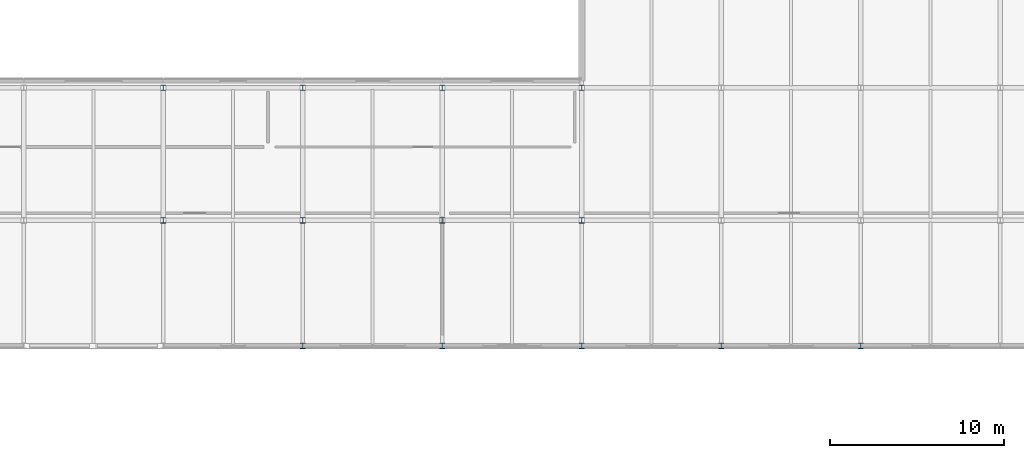
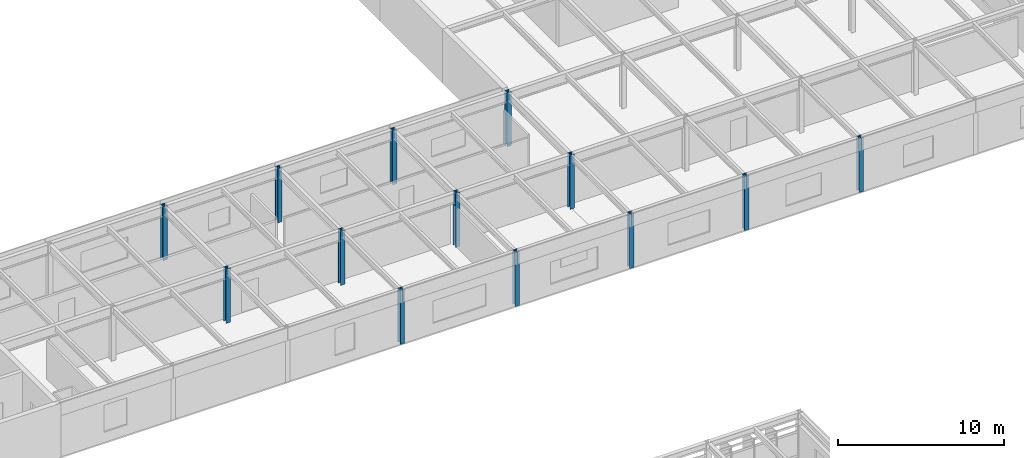
# One storey, part 5 of 33: 13 columns.
"""IFC4 building model written with IfcOpenShell, lengths in metres."""

import ifcopenshell
import ifcopenshell.guid

model = None  # the IFC model being written
_history = None  # IfcOwnerHistory: only IFC2X3 demands one
_inside = {}  # id of a spatial element -> (the spatial element, [elements in it])
_under = {}  # id of a project, library or spatial element -> (it, [spatial elements below it])
_declared = {}  # id of a project -> (the project, [libraries it declares])
_typed = {}  # id of a type object -> (the type object, [elements of that type])
_made_of = {}  # id of a material, layer set ... -> (it, [elements and type objects made of it])


def new_model(schema):
    """Start an empty IFC model of exactly this schema.

    Asked for "IFC4X3", IfcOpenShell would pick the latest addendum, in which some entities
    have other attributes; the version numbers below select the first issue.
    IFC2X3 requires an IfcOwnerHistory on every rooted entity: one is made here for all.
    """
    global model, _history
    if schema == "IFC4X3":
        model = ifcopenshell.file(schema_version=(4, 3, 0, 0))
    else:
        model = ifcopenshell.file(schema=schema)
    _inside.clear()
    _under.clear()
    _declared.clear()
    _typed.clear()
    _made_of.clear()
    _history = None
    if model.schema == "IFC2X3":
        org = make("IfcOrganization", Name="unknown")
        user = make(
            "IfcPersonAndOrganization",
            ThePerson=make("IfcPerson", FamilyName="unknown"),
            TheOrganization=org,
        )
        app = make(
            "IfcApplication",
            ApplicationDeveloper=org,
            Version="unknown",
            ApplicationFullName="unknown",
            ApplicationIdentifier="unknown",
        )
        _history = make(
            "IfcOwnerHistory",
            OwningUser=user,
            OwningApplication=app,
            ChangeAction="ADDED",
            CreationDate=0,
        )
    return model


def make(cls, **values):
    """One entity of the class cls with the attributes given. An attribute that is None is left unset."""
    return model.create_entity(
        cls, **{name: value for name, value in values.items() if value is not None}
    )


def rooted(cls, **values):
    """An entity with a GlobalId (a new one), such as an element, a storey or a relation."""
    return make(cls, GlobalId=ifcopenshell.guid.new(), OwnerHistory=_history, **values)


def si_unit(unit_type, name, prefix=None):
    """IfcSIUnit, for example si_unit("LENGTHUNIT", "METRE", prefix="MILLI")."""
    return make("IfcSIUnit", UnitType=unit_type, Prefix=prefix, Name=name)


def assignment(units):
    """IfcUnitAssignment: the units of a project."""
    return None if units is None else make("IfcUnitAssignment", Units=units)


def point(xyz):
    """IfcCartesianPoint."""
    return None if xyz is None else make("IfcCartesianPoint", Coordinates=xyz)


def direction(xyz):
    """IfcDirection."""
    return None if xyz is None else make("IfcDirection", DirectionRatios=xyz)


def frame(location, z_axis=None, x_axis=None):
    """IfcAxis2Placement3D, a coordinate frame: its origin and axes. An axis left out is left unset."""
    return make(
        "IfcAxis2Placement3D",
        Location=point(location),
        Axis=direction(z_axis),
        RefDirection=direction(x_axis),
    )


def frame_2d(location, x_axis=None):
    """IfcAxis2Placement2D, a coordinate frame in the plane: its origin and x axis."""
    return make(
        "IfcAxis2Placement2D", Location=point(location), RefDirection=direction(x_axis)
    )


def origin():
    """The frame at (0, 0, 0) with its axes left unset."""
    return frame((0.0, 0.0, 0.0))


def origin_2d():
    """The frame at (0, 0) in the plane with its x axis left unset."""
    return frame_2d((0.0, 0.0))


def place(relative_to, where):
    """IfcLocalPlacement: puts the frame where relative to a parent placement (None: the world)."""
    return make(
        "IfcLocalPlacement", PlacementRelTo=relative_to, RelativePlacement=where
    )


def context(
    kind, dimensions, precision=None, world=None, true_north=None, identifier=None
):
    """IfcGeometricRepresentationContext, for example the 3D "Model" context."""
    return make(
        "IfcGeometricRepresentationContext",
        ContextIdentifier=identifier,
        ContextType=kind,
        CoordinateSpaceDimension=dimensions,
        Precision=precision,
        WorldCoordinateSystem=world,
        TrueNorth=true_north,
    )


def subcontext(parent, identifier, kind, view, scale=None):
    """IfcGeometricRepresentationSubContext, for example "Body" below "Model"."""
    return make(
        "IfcGeometricRepresentationSubContext",
        ContextIdentifier=identifier,
        ContextType=kind,
        ParentContext=parent,
        TargetScale=scale,
        TargetView=view,
    )


def project(units=None, contexts=None):
    """IfcProject with its units and contexts."""
    return rooted(
        "IfcProject",
        Name="project",
        RepresentationContexts=contexts,
        UnitsInContext=assignment(units),
    )


def spatial(cls, under=None, at=None, **own):
    """A site, building, storey or space (cls), placed at a placement, below another one or the project."""
    s = rooted(cls, ObjectPlacement=at, **own)
    if under is not None:
        _under.setdefault(under.id(), (under, []))[1].append(s)
    return s


def profile(cls, at=None, kind="AREA", **sizes):
    """A parametric profile (cls). Its sizes go by their IFC names, for example OverallWidth=200.0."""
    return make(cls, ProfileType=kind, Position=at, **sizes)


def i_section(**sizes):
    """IfcIShapeProfileDef."""
    return profile("IfcIShapeProfileDef", **sizes)


def extrude(swept, where, along, depth):
    """IfcExtrudedAreaSolid: the profile swept, set in the frame where, extruded along a direction by depth."""
    return make(
        "IfcExtrudedAreaSolid",
        SweptArea=swept,
        Position=where,
        ExtrudedDirection=direction(along),
        Depth=depth,
    )


def shape(context_of_items, identifier, shape_type, items):
    """IfcShapeRepresentation: the items that make up one representation, for example the "Body"."""
    return make(
        "IfcShapeRepresentation",
        ContextOfItems=context_of_items,
        RepresentationIdentifier=identifier,
        RepresentationType=shape_type,
        Items=items,
    )


def material(Name=None, Category=None):
    """IfcMaterial."""
    return make("IfcMaterial", Name=Name, Category=Category)


def material_profile(
    of_material, cross_section, Name=None, Category=None, Priority=None
):
    """IfcMaterialProfile: a cross section and its material."""
    return make(
        "IfcMaterialProfile",
        Name=Name,
        Material=of_material,
        Profile=cross_section,
        Priority=Priority,
        Category=Category,
    )


def profile_set(profiles, Name=None, composite=None):
    """IfcMaterialProfileSet."""
    return make(
        "IfcMaterialProfileSet",
        Name=Name,
        MaterialProfiles=profiles,
        CompositeProfile=composite,
    )


def made_of(thing, what):
    """Note that an element or type object is made of a material, layer set ...; save() writes the relation."""
    if what is not None:
        _made_of.setdefault(what.id(), (what, []))[1].append(thing)
    return thing


def type_object(cls, material=None, **own):
    """A type object (cls), such as IfcWallType, which elements share."""
    return made_of(rooted(cls, **own), material)


def element(
    cls,
    number,
    at=None,
    inside=None,
    cuts=None,
    type_object=None,
    material=None,
    context=None,
    identifier="Body",
    shape_type=None,
    held_by="IfcProductDefinitionShape",
    body=None,
    shapes=None,
    **own,
):
    """One element of the class cls, such as IfcWall. Its Tag is "e" and its number.

    at: its placement. inside: the storey or other place that contains it. cuts: it is an
    opening in that element (IfcRelVoidsElement). A single representation is given by context,
    identifier, shape_type and body (its items); several are given by shapes. held_by: the class
    of the entity that holds the representations. save() writes the other relations.
    """
    e = rooted(cls, Tag="e%d" % number, ObjectPlacement=at, **own)
    if body is not None:
        shapes = [shape(context, identifier, shape_type, body)]
    if shapes is not None:
        e.Representation = make(held_by, Representations=shapes)
    if inside is not None:
        _inside.setdefault(inside.id(), (inside, []))[1].append(e)
    if cuts is not None:
        rooted(
            "IfcRelVoidsElement", RelatingBuildingElement=cuts, RelatedOpeningElement=e
        )
    if type_object is not None:
        _typed.setdefault(type_object.id(), (type_object, []))[1].append(e)
    return made_of(e, material)


def aggregate(whole, parts):
    """IfcRelAggregates: a whole, such as a stair, and the parts it consists of."""
    return rooted("IfcRelAggregates", RelatingObject=whole, RelatedObjects=parts)


def save(model, path):
    """Write the relations noted so far, then the file.

    IfcRelAggregates (storeys below a building ...), IfcRelContainedInSpatialStructure (elements
    in a storey), IfcRelDefinesByType, IfcRelAssociatesMaterial and IfcRelDeclares: one each for
    every whole, place, type object, material and project.
    """
    for whole, parts in _under.values():
        aggregate(whole, parts)
    for where, things in _inside.values():
        rooted(
            "IfcRelContainedInSpatialStructure",
            RelatedElements=things,
            RelatingStructure=where,
        )
    for kind, things in _typed.values():
        rooted("IfcRelDefinesByType", RelatedObjects=things, RelatingType=kind)
    for what, things in _made_of.values():
        rooted("IfcRelAssociatesMaterial", RelatedObjects=things, RelatingMaterial=what)
    for by, libraries in _declared.values():
        rooted("IfcRelDeclares", RelatingContext=by, RelatedDefinitions=libraries)
    model.write(path)


model = new_model("IFC4")

# Units and contexts
model_context = context("Model", 3, precision=1e-05, world=origin(), true_north=direction((0.0, 1.0)))
body_context = subcontext(model_context, "Body", "Model", "MODEL_VIEW")
ifc_project = project(units=[si_unit("LENGTHUNIT", "METRE"), si_unit("AREAUNIT", "SQUARE_METRE"), si_unit("VOLUMEUNIT", "CUBIC_METRE"), si_unit("PLANEANGLEUNIT", "RADIAN"), si_unit("MASSUNIT", "GRAM", prefix="KILO")], contexts=[model_context])

# Site, building, storey
site_placement = place(None, origin())
site = spatial("IfcSite", under=ifc_project, at=site_placement, CompositionType="ELEMENT")
building_placement = place(site_placement, origin())
building = spatial("IfcBuilding", under=site, at=building_placement, Name="Zulena Civic Courthouse", CompositionType="ELEMENT")
storey_placement = place(building_placement, frame((0.0, 0.0, 33.60009765625)))
storey = spatial("IfcBuildingStorey", under=building, at=storey_placement, Name="L07", CompositionType="ELEMENT", Elevation=33.60009765625)

# Columns
ifc_material = material(Name="Steel ASTM A992 Grade 50", Category="steel")
ifc_material_profile = material_profile(ifc_material, i_section(OverallWidth=0.306884765625, OverallDepth=0.31396484375, WebThickness=0.011962890625, FlangeThickness=0.018798828125, FilletRadius=0.01513671875, at=origin_2d()), Name="W12X79")
ifc_profile_set = profile_set([ifc_material_profile], Name="Steel ASTM A992 Grade 50")
column_type = type_object("IfcColumnType", Name="Col_W12X79", PredefinedType="COLUMN", material=ifc_profile_set)
for number, where, z_axis, x_axis, name in (
    (1, (44.0, 53.199951171875, 0.0), (0.0, 0.0, 1.0), (1.0, 0.0, 0.0), "col:V5:L07:44.0:53.2"),
    (2, (44.0, 60.800048828125, 0.0), (0.0, 0.0, 1.0), (1.0, 0.0, 0.0), "col:V5:L07:44.0:60.8"),
    (3, (52.0, 46.0, 0.0), (0.0, 0.0, 1.0), (1.0, 0.0, 0.0), "col:V5:L07:52.0:46.0"),
    (4, (52.0, 53.199951171875, 0.0), (0.0, 0.0, 1.0), (1.0, 0.0, 0.0), "col:V5:L07:52.0:53.2"),
    (5, (52.0, 60.800048828125, 0.0), (0.0, 0.0, 1.0), (1.0, 0.0, 0.0), "col:V5:L07:52.0:60.8"),
    (6, (60.0, 46.0, 0.0), (0.0, 0.0, 1.0), (1.0, 0.0, 0.0), "col:V5:L07:60.0:46.0"),
    (7, (60.0, 53.199951171875, 0.0), (0.0, 0.0, 1.0), (1.0, 0.0, 0.0), "col:V5:L07:60.0:53.2"),
    (8, (60.0, 60.800048828125, 0.0), (0.0, 0.0, 1.0), (1.0, 0.0, 0.0), "col:V5:L07:60.0:60.8"),
    (9, (68.0, 46.0, 0.0), (0.0, 0.0, 1.0), (1.0, 0.0, 0.0), "col:V5:L07:68.0:46.0"),
    (10, (68.0, 53.199951171875, 0.0), (0.0, 0.0, 1.0), (1.0, 0.0, 0.0), "col:V5:L07:68.0:53.2"),
    (11, (68.0, 60.800048828125, 0.0), (0.0, 0.0, 1.0), (1.0, 0.0, 0.0), "col:V5:L07:68.0:60.8"),
    (12, (76.0, 46.0, 0.0), (0.0, 0.0, 1.0), (1.0, 0.0, 0.0), "col:V5:L07:76.0:46.0"),
    (13, (84.0, 46.0, 0.0), (0.0, 0.0, 1.0), (1.0, 0.0, 0.0), "col:V5:L07:84.0:46.0"),
):
    element("IfcColumn", number, at=place(storey_placement, frame(where, z_axis=z_axis, x_axis=x_axis)), inside=storey, type_object=column_type, Name=name, PredefinedType="COLUMN", context=body_context, shape_type="SweptSolid", body=[
        extrude(i_section(OverallWidth=0.306884765625, OverallDepth=0.31396484375, WebThickness=0.011962890625, FlangeThickness=0.018798828125, FilletRadius=0.01513671875, at=origin_2d()), origin(), (0.0, 0.0, 1.0), 3.994873046875),
    ])

save(model, "model.ifc")
